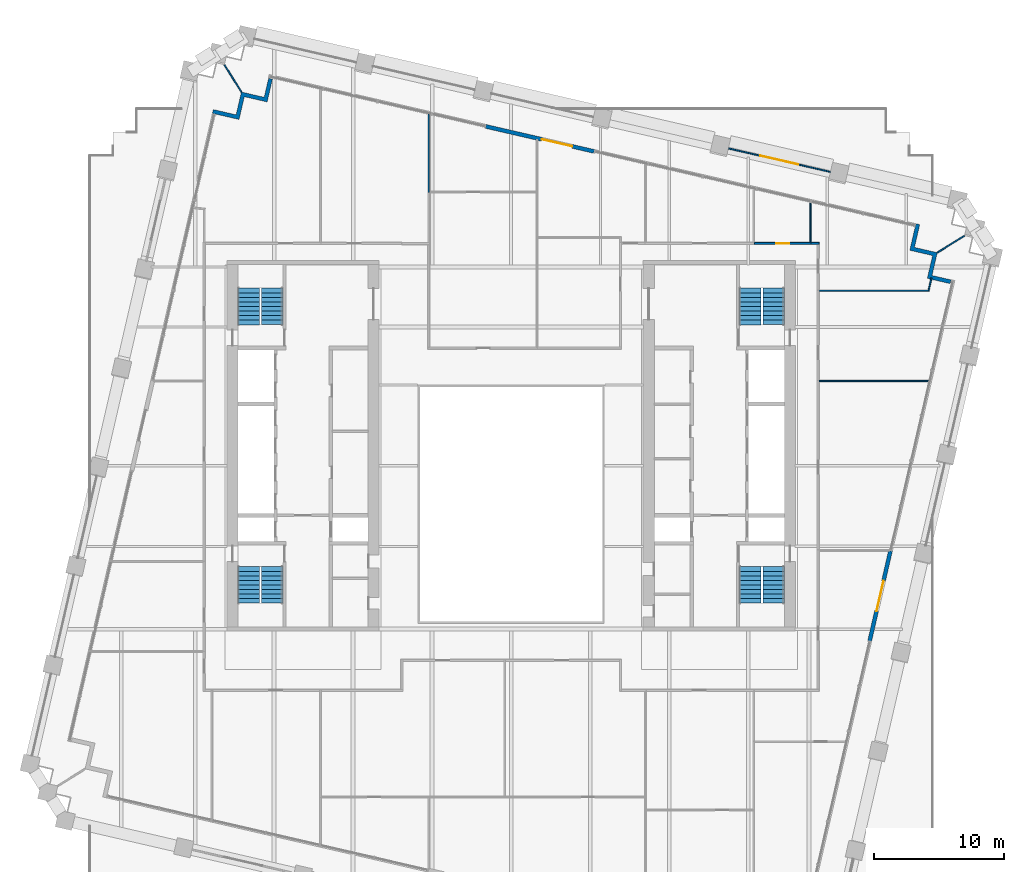
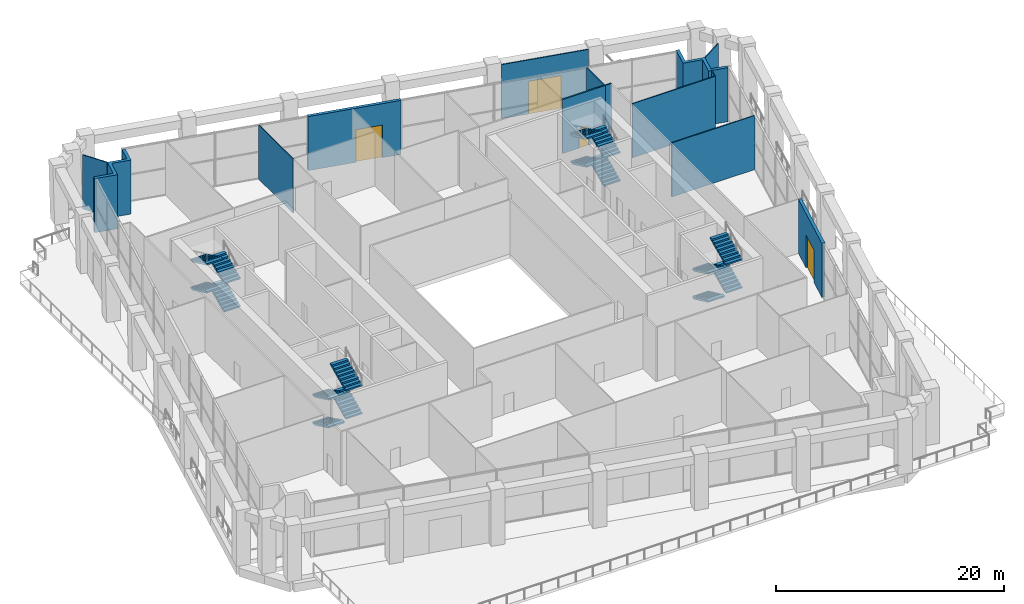
# One storey, part 19 of 23: 16 stair flights, 14 walls, 4 doors, 4 openings, 4 elements without a shape of their own.
"""IFC4 building model written with IfcOpenShell, lengths in metres."""

from ifc_helpers import new_model, si_unit, direction, frame, frame_2d, origin, place, context, subcontext, project, spatial, polyline, rectangle, outline, extrude, material, layer, layer_set, type_object, element, fill, aggregate, save


model = new_model("IFC4")

# Units and contexts
model_context = context("Model", 3, precision=1e-05, world=origin(), true_north=direction((0.0, 1.0)))
body_context = subcontext(model_context, "Body", "Model", "MODEL_VIEW")
ifc_project = project(units=[si_unit("LENGTHUNIT", "METRE"), si_unit("AREAUNIT", "SQUARE_METRE"), si_unit("VOLUMEUNIT", "CUBIC_METRE"), si_unit("PLANEANGLEUNIT", "RADIAN"), si_unit("MASSUNIT", "GRAM", prefix="KILO")], contexts=[model_context])

# Site, building, storey
site_placement = place(None, origin())
site = spatial("IfcSite", under=ifc_project, at=site_placement, CompositionType="ELEMENT")
building_placement = place(site_placement, origin())
building = spatial("IfcBuilding", under=site, at=building_placement, Name="Ogive Exchange Tower", CompositionType="ELEMENT")
storey_placement = place(building_placement, frame((0.0, 0.0, 99.60009765625)))
storey = spatial("IfcBuildingStorey", under=building, at=storey_placement, Name="L21", CompositionType="ELEMENT", Elevation=99.60009765625)

# Wall, opening, door
ifc_material_1 = material(Name="Fire partition EI 60 150")
ifc_layer_1 = layer(ifc_material_1, 0.14990234375)
ifc_layer_set_1 = layer_set([ifc_layer_1], Name="Fire partition EI 60 150")
wall_type_1 = type_object("IfcWallType", Name="Fire partition EI 60 150", PredefinedType="PARTITIONING", material=ifc_layer_set_1)
wall_1_placement = place(storey_placement, frame((18.699951171875, 27.050048828125, 0.0), z_axis=(0.0, 0.0, 1.0), x_axis=(1.0, 0.0, 0.0)))
wall_1 = element("IfcWall", 1, at=wall_1_placement, inside=storey, type_object=wall_type_1, Name="L21-PWL-054", PredefinedType="PARTITIONING", context=body_context, shape_type="SweptSolid", body=[
    extrude(rectangle(XDim=4.360107421875, YDim=0.14990234375, at=frame_2d((2.18017578125, 0.0))), origin(), (0.0, 0.0, 1.0), 5.7998046875),
])
opening_1_placement = place(wall_1_placement, frame((1.659912109375, 0.0, 0.0)))
opening_1 = element("IfcOpeningElement", 2, at=opening_1_placement, cuts=wall_1, Name="Opening L21-I16", PredefinedType="OPENING", context=body_context, shape_type="SweptSolid", body=[
    extrude(rectangle(XDim=1.0, YDim=2.10009765625, at=frame_2d((0.5, 1.050048828125))), frame((0.0, 0.0849609375, 0.0), z_axis=(0.0, -1.0, 0.0), x_axis=(1.0, 0.0, 0.0)), (0.0, 0.0, 1.0), 0.169921875),
])
ifc_material_2 = material(Name="Fire door FD 30S 1000 x 2100")
door_type_1 = type_object("IfcDoorType", Name="Fire door FD 30S 1000 x 2100", OperationType="NOTDEFINED", PredefinedType="DOOR", material=ifc_material_2)
door_1_placement = place(opening_1_placement, origin())
door_1 = element("IfcDoor", 3, at=door_1_placement, inside=storey, type_object=door_type_1, Name="L21-IDR-016", ObjectType="DT3", OperationType="SINGLE_SWING_RIGHT", OverallHeight=2.10009765625, OverallWidth=1.0, PredefinedType="DOOR", context=body_context, shape_type="SweptSolid", body=[
    extrude(rectangle(XDim=1.0, YDim=2.10009765625, at=frame_2d((0.5, 1.050048828125))), frame((0.0, 0.02490234375, 0.0), z_axis=(0.0, -1.0, 0.0), x_axis=(1.0, 0.0, 0.0)), (0.0, 0.0, 1.0), 0.050048828125),
])
fill(opening_1, door_1)

# Wall
wall_2_placement = place(storey_placement, frame((23.06005859375, 27.050048828125, 0.0), z_axis=(0.0, 0.0, 1.0), x_axis=(1.0, 0.0, 0.0)))
element("IfcWall", 4, at=wall_2_placement, inside=storey, type_object=wall_type_1, Name="L21-PWL-056", PredefinedType="PARTITIONING", context=body_context, shape_type="SweptSolid", body=[
    extrude(rectangle(XDim=0.614990234375, YDim=0.14990234375, at=frame_2d((0.3076171875, 0.0))), origin(), (0.0, 0.0, 1.0), 5.7998046875),
])

# Wall, opening, door
ifc_material_3 = material(Name="Precast concrete C40/50", Category="concrete")
ifc_layer_2 = layer(ifc_material_3, 0.300048828125)
ifc_layer_set_2 = layer_set([ifc_layer_2], Name="Limestone-faced wall 300")
wall_type_2 = type_object("IfcWallType", Name="Limestone-faced wall 300", PredefinedType="STANDARD", material=ifc_layer_set_2)
wall_3_placement = place(storey_placement, frame((27.553955078125, -3.511962890625, 0.0), z_axis=(0.0, 0.0, 1.0), x_axis=(0.224949733175, 0.9743703698, 0.0)))
wall_3 = element("IfcWall", 5, at=wall_3_placement, inside=storey, type_object=wall_type_2, Name="External wall E2", PredefinedType="STANDARD", context=body_context, shape_type="SweptSolid", body=[
    extrude(rectangle(XDim=7.1142578125, YDim=0.300048828125, at=frame_2d((3.55712890625, 0.0))), origin(), (0.0, 0.0, 1.0), 5.7998046875),
])
opening_2_placement = place(wall_3_placement, frame((2.357177734375, 0.0, 0.0)))
opening_2 = element("IfcOpeningElement", 6, at=opening_2_placement, cuts=wall_3, Name="Opening D1", PredefinedType="OPENING", context=body_context, shape_type="SweptSolid", body=[
    extrude(rectangle(XDim=2.39990234375, YDim=3.5, at=frame_2d((1.199951171875, 1.75))), frame((0.0, 0.159912109375, 0.0), z_axis=(0.0, -1.0, 0.0), x_axis=(1.0, 0.0, 0.0)), (0.0, 0.0, 1.0), 0.320068359375),
])
ifc_material_4 = material(Name="Clear glass in bronze frame", Category="glass")
door_type_2 = type_object("IfcDoorType", Name="Sliding loggia door 2400 x 3500", OperationType="DOUBLE_DOOR_SLIDING", PredefinedType="DOOR", material=ifc_material_4)
door_2_placement = place(opening_2_placement, origin())
door_2 = element("IfcDoor", 7, at=door_2_placement, inside=storey, type_object=door_type_2, Name="Loggia door E03", OperationType="DOUBLE_DOOR_SLIDING", OverallHeight=3.5, OverallWidth=2.39990234375, PredefinedType="DOOR", context=body_context, shape_type="SweptSolid", body=[
    extrude(rectangle(XDim=2.39990234375, YDim=3.5, at=frame_2d((1.199951171875, 1.75))), frame((0.0, 0.02490234375, 0.0), z_axis=(0.0, -1.0, 0.0), x_axis=(1.0, 0.0, 0.0)), (0.0, 0.0, 1.0), 0.050048828125),
])
fill(opening_2, door_2)

wall_4_placement = place(storey_placement, frame((6.37744140625, 34.123291015625, 0.0), z_axis=(0.0, 0.0, 1.0), x_axis=(-0.974370979495, 0.224947092265, 0.0)))
wall_4 = element("IfcWall", 8, at=wall_4_placement, inside=storey, type_object=wall_type_2, Name="External wall N3", PredefinedType="STANDARD", context=body_context, shape_type="SweptSolid", body=[
    extrude(rectangle(XDim=8.55029296875, YDim=0.300048828125, at=frame_2d((4.275146484375, 0.0))), origin(), (0.0, 0.0, 1.0), 5.7998046875),
])
opening_3_placement = place(wall_4_placement, frame((1.72509765625, 0.0, 0.0)))
opening_3 = element("IfcOpeningElement", 9, at=opening_3_placement, cuts=wall_4, Name="Opening D1", PredefinedType="OPENING", context=body_context, shape_type="SweptSolid", body=[
    extrude(rectangle(XDim=2.39990234375, YDim=3.5, at=frame_2d((1.199951171875, 1.75))), frame((0.0, 0.159912109375, 0.0), z_axis=(0.0, -1.0, 0.0), x_axis=(1.0, 0.0, 0.0)), (0.0, 0.0, 1.0), 0.320068359375),
])
door_3_placement = place(opening_3_placement, origin())
door_3 = element("IfcDoor", 10, at=door_3_placement, inside=storey, type_object=door_type_2, Name="Loggia door N03", OperationType="DOUBLE_DOOR_SLIDING", OverallHeight=3.5, OverallWidth=2.39990234375, PredefinedType="DOOR", context=body_context, shape_type="SweptSolid", body=[
    extrude(rectangle(XDim=2.39990234375, YDim=3.5, at=frame_2d((1.199951171875, 1.75))), frame((0.0, 0.02490234375, 0.0), z_axis=(0.0, -1.0, 0.0), x_axis=(1.0, 0.0, 0.0)), (0.0, 0.0, 1.0), 0.050048828125),
])
fill(opening_3, door_3)

# Walls
wall_5_placement = place(storey_placement, origin())
element("IfcWall", 11, at=wall_5_placement, inside=storey, type_object=wall_type_2, Name="External corner wall C2", PredefinedType="STANDARD", context=body_context, shape_type="SweptSolid", body=[
    extrude(outline(polyline([(32.392822265625, 26.115966796875), (30.638916015625, 26.52099609375), (31.111328125, 28.56689453125), (31.40380859375, 28.49951171875), (30.998779296875, 26.74560546875), (32.752685546875, 26.3408203125), (32.34765625, 24.5869140625), (33.809326171875, 24.24951171875), (33.74169921875, 23.957275390625), (31.98779296875, 24.362060546875), (32.392822265625, 26.115966796875)])), origin(), (0.0, 0.0, 1.0), 5.7998046875),
])
wall_6_placement = place(storey_placement, origin())
element("IfcWall", 12, at=wall_6_placement, inside=storey, type_object=wall_type_2, Name="External corner wall C3", PredefinedType="STANDARD", context=body_context, shape_type="SweptSolid", body=[
    extrude(outline(polyline([(-22.966552734375, 37.04931640625), (-22.89892578125, 37.341552734375), (-21.145263671875, 36.936767578125), (-20.740234375, 38.690673828125), (-18.986328125, 38.28564453125), (-18.64892578125, 39.747314453125), (-18.356689453125, 39.6796875), (-18.76171875, 37.92578125), (-20.515380859375, 38.330810546875), (-20.92041015625, 36.576904296875), (-22.966552734375, 37.04931640625)])), origin(), (0.0, 0.0, 1.0), 5.7998046875),
])
ifc_material_5 = material(Name="Laminated safety glass in steel frame", Category="steel")
ifc_layer_3 = layer(ifc_material_5, 0.10009765625)
ifc_layer_set_3 = layer_set([ifc_layer_3], Name="Loggia end screen 100")
wall_type_3 = type_object("IfcWallType", Name="Loggia end screen 100", PredefinedType="STANDARD", material=ifc_layer_set_3)
for number, where, z_axis, x_axis, name in (
    (13, (32.752685546875, 26.3408203125, 0.0), (0.0, 0.0, 1.0), (0.848059759764, 0.529900598103, 0.0), "Loggia end screen C2"),
    (14, (-20.740234375, 38.690673828125, 0.0), (0.0, 0.0, 1.0), (-0.529972121605, 0.848015064914, 0.0), "Loggia end screen C3"),
):
    element("IfcWall", number, at=place(storey_placement, frame(where, z_axis=z_axis, x_axis=x_axis)), inside=storey, type_object=wall_type_3, Name=name, PredefinedType="STANDARD", context=body_context, shape_type="SweptSolid", body=[
        extrude(rectangle(XDim=2.454833984375, YDim=0.10009765625, at=frame_2d((1.2275390625, 0.0))), origin(), (0.0, 0.0, 1.0), 5.7998046875),
    ])

# Wall, opening, door
wall_7_placement = place(storey_placement, frame((24.518798828125, 32.55224609375, 0.0), z_axis=(0.0, 0.0, 1.0), x_axis=(-0.974372699143, 0.224939643383, 0.0)))
wall_7 = element("IfcWall", 15, at=wall_7_placement, inside=storey, type_object=wall_type_3, Name="Terrace screen N01", PredefinedType="STANDARD", context=body_context, shape_type="SweptSolid", body=[
    extrude(rectangle(XDim=8.010009765625, YDim=0.10009765625, at=frame_2d((4.0048828125, 0.0))), origin(), (0.0, 0.0, 1.0), 5.7998046875),
])
opening_4_placement = place(wall_7_placement, frame((2.5048828125, 0.0, 0.0)))
opening_4 = element("IfcOpeningElement", 16, at=opening_4_placement, cuts=wall_7, Name="Opening D4", PredefinedType="OPENING", context=body_context, shape_type="SweptSolid", body=[
    extrude(rectangle(XDim=3.0, YDim=3.5, at=frame_2d((1.5, 1.75))), frame((0.0, 0.06005859375, 0.0), z_axis=(0.0, -1.0, 0.0), x_axis=(1.0, 0.0, 0.0)), (0.0, 0.0, 1.0), 0.1201171875),
])
door_type_3 = type_object("IfcDoorType", Name="Terrace sliding door 3000 x 3500", OperationType="DOUBLE_DOOR_SLIDING", PredefinedType="DOOR", material=ifc_material_4)
door_4_placement = place(opening_4_placement, origin())
door_4 = element("IfcDoor", 17, at=door_4_placement, inside=storey, type_object=door_type_3, Name="Terrace door N01", OperationType="DOUBLE_DOOR_SLIDING", OverallHeight=3.5, OverallWidth=3.0, PredefinedType="DOOR", context=body_context, shape_type="SweptSolid", body=[
    extrude(rectangle(XDim=3.0, YDim=3.5, at=frame_2d((1.5, 1.75))), frame((0.0, 0.02490234375, 0.0), z_axis=(0.0, -1.0, 0.0), x_axis=(1.0, 0.0, 0.0)), (0.0, 0.0, 1.0), 0.050048828125),
])
fill(opening_4, door_4)

# Walls
ifc_material_6 = material(Name="Partition 100 gypsum")
ifc_layer_4 = layer(ifc_material_6, 0.10009765625)
ifc_layer_set_4 = layer_set([ifc_layer_4], Name="Partition 100 gypsum")
wall_type_4 = type_object("IfcWallType", Name="Partition 100 gypsum", PredefinedType="PARTITIONING", material=ifc_layer_set_4)
wall_8_placement = place(storey_placement, frame((-6.340087890625, 36.988037109375, 0.0), z_axis=(0.0, 0.0, 1.0), x_axis=(0.0, -1.0, 0.0)))
element("IfcWall", 18, at=wall_8_placement, inside=storey, type_object=wall_type_4, Name="L21-PWL-026", PredefinedType="PARTITIONING", context=body_context, shape_type="SweptSolid", body=[
    extrude(rectangle(XDim=6.0380859375, YDim=0.10009765625, at=frame_2d((3.01904296875, 0.0))), origin(), (0.0, 0.0, 1.0), 5.7998046875),
])
wall_9_placement = place(storey_placement, frame((23.010009765625, 30.2119140625, 0.0), z_axis=(0.0, 0.0, 1.0), x_axis=(0.0, -1.0, 0.0)))
element("IfcWall", 19, at=wall_9_placement, inside=storey, type_object=wall_type_4, Name="L21-PWL-057", PredefinedType="PARTITIONING", context=body_context, shape_type="SweptSolid", body=[
    extrude(rectangle(XDim=3.0869140625, YDim=0.10009765625, at=frame_2d((1.54345703125, 0.0))), origin(), (0.0, 0.0, 1.0), 5.7998046875),
])
wall_10_placement = place(storey_placement, frame((23.675048828125, 16.47998046875, 0.0), z_axis=(0.0, 0.0, 1.0), x_axis=(1.0, 0.0, 0.0)))
element("IfcWall", 20, at=wall_10_placement, inside=storey, type_object=wall_type_4, Name="L21-PWL-062", PredefinedType="PARTITIONING", context=body_context, shape_type="SweptSolid", body=[
    extrude(rectangle(XDim=8.4228515625, YDim=0.10009765625, at=frame_2d((4.21142578125, 0.0))), origin(), (0.0, 0.0, 1.0), 5.7998046875),
])
wall_11_placement = place(storey_placement, frame((23.675048828125, 23.409912109375, 0.0), z_axis=(0.0, 0.0, 1.0), x_axis=(1.0, 0.0, 0.0)))
element("IfcWall", 21, at=wall_11_placement, inside=storey, type_object=wall_type_4, Name="L21-PWL-064", PredefinedType="PARTITIONING", context=body_context, shape_type="SweptSolid", body=[
    extrude(rectangle(XDim=8.454833984375, YDim=0.10009765625, at=frame_2d((4.2275390625, 0.0))), origin(), (0.0, 0.0, 1.0), 5.7998046875),
])
wall_12_placement = place(storey_placement, frame((32.091064453125, 23.458984375, 0.0), z_axis=(0.0, 0.0, 1.0), x_axis=(0.223406444343, 0.97472537703, 0.0)))
element("IfcWall", 22, at=wall_12_placement, inside=storey, type_object=wall_type_4, Name="L21-PWL-066", PredefinedType="PARTITIONING", context=body_context, shape_type="SweptSolid", body=[
    extrude(rectangle(XDim=0.957275390625, YDim=0.10009765625, at=frame_2d((0.478515625, 0.0))), origin(), (0.0, 0.0, 1.0), 5.7998046875),
])

# Stair, stair flights
ifc_material_7 = material(Name="Concrete C40/50", Category="concrete")
stair_type = type_object("IfcStairType", Name="Exit stair 1650 wide", PredefinedType="HALF_TURN_STAIR", material=ifc_material_7)
stair_1_placement = place(storey_placement, origin())
stair_1 = element("IfcStair", 23, at=stair_1_placement, inside=storey, type_object=stair_type, Name="L21 exit stair ST1", PredefinedType="HALF_TURN_STAIR")
stair_flight_type = type_object("IfcStairFlightType", Name="Stair flight 1650 wide", PredefinedType="STRAIGHT", material=ifc_material_7)
stair_flight_1_placement = place(storey_placement, frame((-20.175048828125, 2.199951171875, 0.0), z_axis=(0.0, 0.0, 1.0), x_axis=(0.0, -1.0, 0.0)))
stair_flight_1 = element("IfcStairFlight", 24, at=stair_flight_1_placement, type_object=stair_flight_type, Name="ST1 flight 1", NumberOfRisers=9, NumberOfTreads=8, PredefinedType="STRAIGHT", RiserHeight=0.166666667, TreadLength=0.351, context=body_context, shape_type="SweptSolid", body=[
    extrude(outline(polyline([(0.0, 0.0), (0.0, 0.166748046875), (0.35107421875, 0.166748046875), (0.35107421875, 0.333251953125), (0.701904296875, 0.333251953125), (0.701904296875, 0.5), (1.052978515625, 0.5), (1.052978515625, 0.666748046875), (1.404052734375, 0.666748046875), (1.404052734375, 0.833251953125), (1.7548828125, 0.833251953125), (1.7548828125, 1.0), (2.10595703125, 1.0), (2.10595703125, 1.166748046875), (2.45703125, 1.166748046875), (2.45703125, 1.333251953125), (2.80810546875, 1.333251953125), (2.80810546875, 1.5), (2.80810546875, 1.16748046875), (0.349365234375, 0.0), (0.0, 0.0)])), frame((0.0, 0.824951171875, 0.0), z_axis=(0.0, -1.0, 0.0), x_axis=(1.0, 0.0, 0.0)), (0.0, 0.0, 1.0), 1.64990234375),
])
stair_flight_2_placement = place(storey_placement, frame((-18.375, -0.60791015625, 1.5), z_axis=(0.0, 0.0, 1.0), x_axis=(0.0, 1.0, 0.0)))
stair_flight_2 = element("IfcStairFlight", 25, at=stair_flight_2_placement, type_object=stair_flight_type, Name="ST1 flight 2", NumberOfRisers=9, NumberOfTreads=8, PredefinedType="STRAIGHT", RiserHeight=0.166666667, TreadLength=0.351, context=body_context, shape_type="SweptSolid", body=[
    extrude(outline(polyline([(0.0, 0.0), (0.0, 0.166748046875), (0.35107421875, 0.166748046875), (0.35107421875, 0.333251953125), (0.701904296875, 0.333251953125), (0.701904296875, 0.5), (1.052978515625, 0.5), (1.052978515625, 0.666748046875), (1.404052734375, 0.666748046875), (1.404052734375, 0.833251953125), (1.7548828125, 0.833251953125), (1.7548828125, 1.0), (2.10595703125, 1.0), (2.10595703125, 1.166748046875), (2.45703125, 1.166748046875), (2.45703125, 1.333251953125), (2.80810546875, 1.333251953125), (2.80810546875, 1.5), (2.80810546875, 1.16748046875), (0.349365234375, 0.0), (0.0, 0.0)])), frame((0.0, 0.824951171875, 0.0), z_axis=(0.0, -1.0, 0.0), x_axis=(1.0, 0.0, 0.0)), (0.0, 0.0, 1.0), 1.64990234375),
])
stair_flight_3_placement = place(storey_placement, frame((-20.175048828125, 2.199951171875, 3.0), z_axis=(0.0, 0.0, 1.0), x_axis=(0.0, -1.0, 0.0)))
stair_flight_3 = element("IfcStairFlight", 26, at=stair_flight_3_placement, type_object=stair_flight_type, Name="ST1 flight 3", NumberOfRisers=9, NumberOfTreads=8, PredefinedType="STRAIGHT", RiserHeight=0.166666667, TreadLength=0.351, context=body_context, shape_type="SweptSolid", body=[
    extrude(outline(polyline([(0.0, 0.0), (0.0, 0.166748046875), (0.35107421875, 0.166748046875), (0.35107421875, 0.333251953125), (0.701904296875, 0.333251953125), (0.701904296875, 0.5), (1.052978515625, 0.5), (1.052978515625, 0.666748046875), (1.404052734375, 0.666748046875), (1.404052734375, 0.833251953125), (1.7548828125, 0.833251953125), (1.7548828125, 1.0), (2.10595703125, 1.0), (2.10595703125, 1.166748046875), (2.45703125, 1.166748046875), (2.45703125, 1.333251953125), (2.80810546875, 1.333251953125), (2.80810546875, 1.5), (2.80810546875, 1.16748046875), (0.349365234375, 0.0), (0.0, 0.0)])), frame((0.0, 0.824951171875, 0.0), z_axis=(0.0, -1.0, 0.0), x_axis=(1.0, 0.0, 0.0)), (0.0, 0.0, 1.0), 1.64990234375),
])
stair_flight_4_placement = place(storey_placement, frame((-18.375, -0.60791015625, 4.5), z_axis=(0.0, 0.0, 1.0), x_axis=(0.0, 1.0, 0.0)))
stair_flight_4 = element("IfcStairFlight", 27, at=stair_flight_4_placement, type_object=stair_flight_type, Name="ST1 flight 4", NumberOfRisers=9, NumberOfTreads=8, PredefinedType="STRAIGHT", RiserHeight=0.166666667, TreadLength=0.351, context=body_context, shape_type="SweptSolid", body=[
    extrude(outline(polyline([(0.0, 0.0), (0.0, 0.166748046875), (0.35107421875, 0.166748046875), (0.35107421875, 0.333251953125), (0.701904296875, 0.333251953125), (0.701904296875, 0.5), (1.052978515625, 0.5), (1.052978515625, 0.666748046875), (1.404052734375, 0.666748046875), (1.404052734375, 0.833251953125), (1.7548828125, 0.833251953125), (1.7548828125, 1.0), (2.10595703125, 1.0), (2.10595703125, 1.166748046875), (2.45703125, 1.166748046875), (2.45703125, 1.333251953125), (2.80810546875, 1.333251953125), (2.80810546875, 1.5), (2.80810546875, 1.16748046875), (0.349365234375, 0.0), (0.0, 0.0)])), frame((0.0, 0.824951171875, 0.0), z_axis=(0.0, -1.0, 0.0), x_axis=(1.0, 0.0, 0.0)), (0.0, 0.0, 1.0), 1.64990234375),
])
aggregate(stair_1, [stair_flight_1, stair_flight_2, stair_flight_3, stair_flight_4])

stair_2_placement = place(storey_placement, origin())
stair_2 = element("IfcStair", 28, at=stair_2_placement, inside=storey, type_object=stair_type, Name="L21 exit stair ST2", PredefinedType="HALF_TURN_STAIR")
stair_flight_5_placement = place(storey_placement, frame((-18.375, 20.800048828125, 0.0), z_axis=(0.0, 0.0, 1.0), x_axis=(0.0, 1.0, 0.0)))
stair_flight_5 = element("IfcStairFlight", 29, at=stair_flight_5_placement, type_object=stair_flight_type, Name="ST2 flight 1", NumberOfRisers=9, NumberOfTreads=8, PredefinedType="STRAIGHT", RiserHeight=0.166666667, TreadLength=0.351, context=body_context, shape_type="SweptSolid", body=[
    extrude(outline(polyline([(0.0, 0.0), (0.0, 0.166748046875), (0.35107421875, 0.166748046875), (0.35107421875, 0.333251953125), (0.701904296875, 0.333251953125), (0.701904296875, 0.5), (1.052978515625, 0.5), (1.052978515625, 0.666748046875), (1.404052734375, 0.666748046875), (1.404052734375, 0.833251953125), (1.7548828125, 0.833251953125), (1.7548828125, 1.0), (2.10595703125, 1.0), (2.10595703125, 1.166748046875), (2.45703125, 1.166748046875), (2.45703125, 1.333251953125), (2.80810546875, 1.333251953125), (2.80810546875, 1.5), (2.80810546875, 1.16748046875), (0.349365234375, 0.0), (0.0, 0.0)])), frame((0.0, 0.824951171875, 0.0), z_axis=(0.0, -1.0, 0.0), x_axis=(1.0, 0.0, 0.0)), (0.0, 0.0, 1.0), 1.64990234375),
])
stair_flight_6_placement = place(storey_placement, frame((-20.175048828125, 23.60791015625, 1.5), z_axis=(0.0, 0.0, 1.0), x_axis=(0.0, -1.0, 0.0)))
stair_flight_6 = element("IfcStairFlight", 30, at=stair_flight_6_placement, type_object=stair_flight_type, Name="ST2 flight 2", NumberOfRisers=9, NumberOfTreads=8, PredefinedType="STRAIGHT", RiserHeight=0.166666667, TreadLength=0.351, context=body_context, shape_type="SweptSolid", body=[
    extrude(outline(polyline([(0.0, 0.0), (0.0, 0.166748046875), (0.35107421875, 0.166748046875), (0.35107421875, 0.333251953125), (0.701904296875, 0.333251953125), (0.701904296875, 0.5), (1.052978515625, 0.5), (1.052978515625, 0.666748046875), (1.404052734375, 0.666748046875), (1.404052734375, 0.833251953125), (1.7548828125, 0.833251953125), (1.7548828125, 1.0), (2.10595703125, 1.0), (2.10595703125, 1.166748046875), (2.45703125, 1.166748046875), (2.45703125, 1.333251953125), (2.80810546875, 1.333251953125), (2.80810546875, 1.5), (2.80810546875, 1.16748046875), (0.349365234375, 0.0), (0.0, 0.0)])), frame((0.0, 0.824951171875, 0.0), z_axis=(0.0, -1.0, 0.0), x_axis=(1.0, 0.0, 0.0)), (0.0, 0.0, 1.0), 1.64990234375),
])
stair_flight_7_placement = place(storey_placement, frame((-18.375, 20.800048828125, 3.0), z_axis=(0.0, 0.0, 1.0), x_axis=(0.0, 1.0, 0.0)))
stair_flight_7 = element("IfcStairFlight", 31, at=stair_flight_7_placement, type_object=stair_flight_type, Name="ST2 flight 3", NumberOfRisers=9, NumberOfTreads=8, PredefinedType="STRAIGHT", RiserHeight=0.166666667, TreadLength=0.351, context=body_context, shape_type="SweptSolid", body=[
    extrude(outline(polyline([(0.0, 0.0), (0.0, 0.166748046875), (0.35107421875, 0.166748046875), (0.35107421875, 0.333251953125), (0.701904296875, 0.333251953125), (0.701904296875, 0.5), (1.052978515625, 0.5), (1.052978515625, 0.666748046875), (1.404052734375, 0.666748046875), (1.404052734375, 0.833251953125), (1.7548828125, 0.833251953125), (1.7548828125, 1.0), (2.10595703125, 1.0), (2.10595703125, 1.166748046875), (2.45703125, 1.166748046875), (2.45703125, 1.333251953125), (2.80810546875, 1.333251953125), (2.80810546875, 1.5), (2.80810546875, 1.16748046875), (0.349365234375, 0.0), (0.0, 0.0)])), frame((0.0, 0.824951171875, 0.0), z_axis=(0.0, -1.0, 0.0), x_axis=(1.0, 0.0, 0.0)), (0.0, 0.0, 1.0), 1.64990234375),
])
stair_flight_8_placement = place(storey_placement, frame((-20.175048828125, 23.60791015625, 4.5), z_axis=(0.0, 0.0, 1.0), x_axis=(0.0, -1.0, 0.0)))
stair_flight_8 = element("IfcStairFlight", 32, at=stair_flight_8_placement, type_object=stair_flight_type, Name="ST2 flight 4", NumberOfRisers=9, NumberOfTreads=8, PredefinedType="STRAIGHT", RiserHeight=0.166666667, TreadLength=0.351, context=body_context, shape_type="SweptSolid", body=[
    extrude(outline(polyline([(0.0, 0.0), (0.0, 0.166748046875), (0.35107421875, 0.166748046875), (0.35107421875, 0.333251953125), (0.701904296875, 0.333251953125), (0.701904296875, 0.5), (1.052978515625, 0.5), (1.052978515625, 0.666748046875), (1.404052734375, 0.666748046875), (1.404052734375, 0.833251953125), (1.7548828125, 0.833251953125), (1.7548828125, 1.0), (2.10595703125, 1.0), (2.10595703125, 1.166748046875), (2.45703125, 1.166748046875), (2.45703125, 1.333251953125), (2.80810546875, 1.333251953125), (2.80810546875, 1.5), (2.80810546875, 1.16748046875), (0.349365234375, 0.0), (0.0, 0.0)])), frame((0.0, 0.824951171875, 0.0), z_axis=(0.0, -1.0, 0.0), x_axis=(1.0, 0.0, 0.0)), (0.0, 0.0, 1.0), 1.64990234375),
])
aggregate(stair_2, [stair_flight_5, stair_flight_6, stair_flight_7, stair_flight_8])

stair_3_placement = place(storey_placement, origin())
stair_3 = element("IfcStair", 33, at=stair_3_placement, inside=storey, type_object=stair_type, Name="L21 exit stair ST3", PredefinedType="HALF_TURN_STAIR")
stair_flight_9_placement = place(storey_placement, frame((18.375, 2.199951171875, 0.0), z_axis=(0.0, 0.0, 1.0), x_axis=(0.0, -1.0, 0.0)))
stair_flight_9 = element("IfcStairFlight", 34, at=stair_flight_9_placement, type_object=stair_flight_type, Name="ST3 flight 1", NumberOfRisers=9, NumberOfTreads=8, PredefinedType="STRAIGHT", RiserHeight=0.166666667, TreadLength=0.351, context=body_context, shape_type="SweptSolid", body=[
    extrude(outline(polyline([(0.0, 0.0), (0.0, 0.166748046875), (0.35107421875, 0.166748046875), (0.35107421875, 0.333251953125), (0.701904296875, 0.333251953125), (0.701904296875, 0.5), (1.052978515625, 0.5), (1.052978515625, 0.666748046875), (1.404052734375, 0.666748046875), (1.404052734375, 0.833251953125), (1.7548828125, 0.833251953125), (1.7548828125, 1.0), (2.10595703125, 1.0), (2.10595703125, 1.166748046875), (2.45703125, 1.166748046875), (2.45703125, 1.333251953125), (2.80810546875, 1.333251953125), (2.80810546875, 1.5), (2.80810546875, 1.16748046875), (0.349365234375, 0.0), (0.0, 0.0)])), frame((0.0, 0.824951171875, 0.0), z_axis=(0.0, -1.0, 0.0), x_axis=(1.0, 0.0, 0.0)), (0.0, 0.0, 1.0), 1.64990234375),
])
stair_flight_10_placement = place(storey_placement, frame((20.175048828125, -0.60791015625, 1.5), z_axis=(0.0, 0.0, 1.0), x_axis=(0.0, 1.0, 0.0)))
stair_flight_10 = element("IfcStairFlight", 35, at=stair_flight_10_placement, type_object=stair_flight_type, Name="ST3 flight 2", NumberOfRisers=9, NumberOfTreads=8, PredefinedType="STRAIGHT", RiserHeight=0.166666667, TreadLength=0.351, context=body_context, shape_type="SweptSolid", body=[
    extrude(outline(polyline([(0.0, 0.0), (0.0, 0.166748046875), (0.35107421875, 0.166748046875), (0.35107421875, 0.333251953125), (0.701904296875, 0.333251953125), (0.701904296875, 0.5), (1.052978515625, 0.5), (1.052978515625, 0.666748046875), (1.404052734375, 0.666748046875), (1.404052734375, 0.833251953125), (1.7548828125, 0.833251953125), (1.7548828125, 1.0), (2.10595703125, 1.0), (2.10595703125, 1.166748046875), (2.45703125, 1.166748046875), (2.45703125, 1.333251953125), (2.80810546875, 1.333251953125), (2.80810546875, 1.5), (2.80810546875, 1.16748046875), (0.349365234375, 0.0), (0.0, 0.0)])), frame((0.0, 0.824951171875, 0.0), z_axis=(0.0, -1.0, 0.0), x_axis=(1.0, 0.0, 0.0)), (0.0, 0.0, 1.0), 1.64990234375),
])
stair_flight_11_placement = place(storey_placement, frame((18.375, 2.199951171875, 3.0), z_axis=(0.0, 0.0, 1.0), x_axis=(0.0, -1.0, 0.0)))
stair_flight_11 = element("IfcStairFlight", 36, at=stair_flight_11_placement, type_object=stair_flight_type, Name="ST3 flight 3", NumberOfRisers=9, NumberOfTreads=8, PredefinedType="STRAIGHT", RiserHeight=0.166666667, TreadLength=0.351, context=body_context, shape_type="SweptSolid", body=[
    extrude(outline(polyline([(0.0, 0.0), (0.0, 0.166748046875), (0.35107421875, 0.166748046875), (0.35107421875, 0.333251953125), (0.701904296875, 0.333251953125), (0.701904296875, 0.5), (1.052978515625, 0.5), (1.052978515625, 0.666748046875), (1.404052734375, 0.666748046875), (1.404052734375, 0.833251953125), (1.7548828125, 0.833251953125), (1.7548828125, 1.0), (2.10595703125, 1.0), (2.10595703125, 1.166748046875), (2.45703125, 1.166748046875), (2.45703125, 1.333251953125), (2.80810546875, 1.333251953125), (2.80810546875, 1.5), (2.80810546875, 1.16748046875), (0.349365234375, 0.0), (0.0, 0.0)])), frame((0.0, 0.824951171875, 0.0), z_axis=(0.0, -1.0, 0.0), x_axis=(1.0, 0.0, 0.0)), (0.0, 0.0, 1.0), 1.64990234375),
])
stair_flight_12_placement = place(storey_placement, frame((20.175048828125, -0.60791015625, 4.5), z_axis=(0.0, 0.0, 1.0), x_axis=(0.0, 1.0, 0.0)))
stair_flight_12 = element("IfcStairFlight", 37, at=stair_flight_12_placement, type_object=stair_flight_type, Name="ST3 flight 4", NumberOfRisers=9, NumberOfTreads=8, PredefinedType="STRAIGHT", RiserHeight=0.166666667, TreadLength=0.351, context=body_context, shape_type="SweptSolid", body=[
    extrude(outline(polyline([(0.0, 0.0), (0.0, 0.166748046875), (0.35107421875, 0.166748046875), (0.35107421875, 0.333251953125), (0.701904296875, 0.333251953125), (0.701904296875, 0.5), (1.052978515625, 0.5), (1.052978515625, 0.666748046875), (1.404052734375, 0.666748046875), (1.404052734375, 0.833251953125), (1.7548828125, 0.833251953125), (1.7548828125, 1.0), (2.10595703125, 1.0), (2.10595703125, 1.166748046875), (2.45703125, 1.166748046875), (2.45703125, 1.333251953125), (2.80810546875, 1.333251953125), (2.80810546875, 1.5), (2.80810546875, 1.16748046875), (0.349365234375, 0.0), (0.0, 0.0)])), frame((0.0, 0.824951171875, 0.0), z_axis=(0.0, -1.0, 0.0), x_axis=(1.0, 0.0, 0.0)), (0.0, 0.0, 1.0), 1.64990234375),
])
aggregate(stair_3, [stair_flight_9, stair_flight_10, stair_flight_11, stair_flight_12])

stair_4_placement = place(storey_placement, origin())
stair_4 = element("IfcStair", 38, at=stair_4_placement, inside=storey, type_object=stair_type, Name="L21 exit stair ST4", PredefinedType="HALF_TURN_STAIR")
stair_flight_13_placement = place(storey_placement, frame((20.175048828125, 20.800048828125, 0.0), z_axis=(0.0, 0.0, 1.0), x_axis=(0.0, 1.0, 0.0)))
stair_flight_13 = element("IfcStairFlight", 39, at=stair_flight_13_placement, type_object=stair_flight_type, Name="ST4 flight 1", NumberOfRisers=9, NumberOfTreads=8, PredefinedType="STRAIGHT", RiserHeight=0.166666667, TreadLength=0.351, context=body_context, shape_type="SweptSolid", body=[
    extrude(outline(polyline([(0.0, 0.0), (0.0, 0.166748046875), (0.35107421875, 0.166748046875), (0.35107421875, 0.333251953125), (0.701904296875, 0.333251953125), (0.701904296875, 0.5), (1.052978515625, 0.5), (1.052978515625, 0.666748046875), (1.404052734375, 0.666748046875), (1.404052734375, 0.833251953125), (1.7548828125, 0.833251953125), (1.7548828125, 1.0), (2.10595703125, 1.0), (2.10595703125, 1.166748046875), (2.45703125, 1.166748046875), (2.45703125, 1.333251953125), (2.80810546875, 1.333251953125), (2.80810546875, 1.5), (2.80810546875, 1.16748046875), (0.349365234375, 0.0), (0.0, 0.0)])), frame((0.0, 0.824951171875, 0.0), z_axis=(0.0, -1.0, 0.0), x_axis=(1.0, 0.0, 0.0)), (0.0, 0.0, 1.0), 1.64990234375),
])
stair_flight_14_placement = place(storey_placement, frame((18.375, 23.60791015625, 1.5), z_axis=(0.0, 0.0, 1.0), x_axis=(0.0, -1.0, 0.0)))
stair_flight_14 = element("IfcStairFlight", 40, at=stair_flight_14_placement, type_object=stair_flight_type, Name="ST4 flight 2", NumberOfRisers=9, NumberOfTreads=8, PredefinedType="STRAIGHT", RiserHeight=0.166666667, TreadLength=0.351, context=body_context, shape_type="SweptSolid", body=[
    extrude(outline(polyline([(0.0, 0.0), (0.0, 0.166748046875), (0.35107421875, 0.166748046875), (0.35107421875, 0.333251953125), (0.701904296875, 0.333251953125), (0.701904296875, 0.5), (1.052978515625, 0.5), (1.052978515625, 0.666748046875), (1.404052734375, 0.666748046875), (1.404052734375, 0.833251953125), (1.7548828125, 0.833251953125), (1.7548828125, 1.0), (2.10595703125, 1.0), (2.10595703125, 1.166748046875), (2.45703125, 1.166748046875), (2.45703125, 1.333251953125), (2.80810546875, 1.333251953125), (2.80810546875, 1.5), (2.80810546875, 1.16748046875), (0.349365234375, 0.0), (0.0, 0.0)])), frame((0.0, 0.824951171875, 0.0), z_axis=(0.0, -1.0, 0.0), x_axis=(1.0, 0.0, 0.0)), (0.0, 0.0, 1.0), 1.64990234375),
])
stair_flight_15_placement = place(storey_placement, frame((20.175048828125, 20.800048828125, 3.0), z_axis=(0.0, 0.0, 1.0), x_axis=(0.0, 1.0, 0.0)))
stair_flight_15 = element("IfcStairFlight", 41, at=stair_flight_15_placement, type_object=stair_flight_type, Name="ST4 flight 3", NumberOfRisers=9, NumberOfTreads=8, PredefinedType="STRAIGHT", RiserHeight=0.166666667, TreadLength=0.351, context=body_context, shape_type="SweptSolid", body=[
    extrude(outline(polyline([(0.0, 0.0), (0.0, 0.166748046875), (0.35107421875, 0.166748046875), (0.35107421875, 0.333251953125), (0.701904296875, 0.333251953125), (0.701904296875, 0.5), (1.052978515625, 0.5), (1.052978515625, 0.666748046875), (1.404052734375, 0.666748046875), (1.404052734375, 0.833251953125), (1.7548828125, 0.833251953125), (1.7548828125, 1.0), (2.10595703125, 1.0), (2.10595703125, 1.166748046875), (2.45703125, 1.166748046875), (2.45703125, 1.333251953125), (2.80810546875, 1.333251953125), (2.80810546875, 1.5), (2.80810546875, 1.16748046875), (0.349365234375, 0.0), (0.0, 0.0)])), frame((0.0, 0.824951171875, 0.0), z_axis=(0.0, -1.0, 0.0), x_axis=(1.0, 0.0, 0.0)), (0.0, 0.0, 1.0), 1.64990234375),
])
stair_flight_16_placement = place(storey_placement, frame((18.375, 23.60791015625, 4.5), z_axis=(0.0, 0.0, 1.0), x_axis=(0.0, -1.0, 0.0)))
stair_flight_16 = element("IfcStairFlight", 42, at=stair_flight_16_placement, type_object=stair_flight_type, Name="ST4 flight 4", NumberOfRisers=9, NumberOfTreads=8, PredefinedType="STRAIGHT", RiserHeight=0.166666667, TreadLength=0.351, context=body_context, shape_type="SweptSolid", body=[
    extrude(outline(polyline([(0.0, 0.0), (0.0, 0.166748046875), (0.35107421875, 0.166748046875), (0.35107421875, 0.333251953125), (0.701904296875, 0.333251953125), (0.701904296875, 0.5), (1.052978515625, 0.5), (1.052978515625, 0.666748046875), (1.404052734375, 0.666748046875), (1.404052734375, 0.833251953125), (1.7548828125, 0.833251953125), (1.7548828125, 1.0), (2.10595703125, 1.0), (2.10595703125, 1.166748046875), (2.45703125, 1.166748046875), (2.45703125, 1.333251953125), (2.80810546875, 1.333251953125), (2.80810546875, 1.5), (2.80810546875, 1.16748046875), (0.349365234375, 0.0), (0.0, 0.0)])), frame((0.0, 0.824951171875, 0.0), z_axis=(0.0, -1.0, 0.0), x_axis=(1.0, 0.0, 0.0)), (0.0, 0.0, 1.0), 1.64990234375),
])
aggregate(stair_4, [stair_flight_13, stair_flight_14, stair_flight_15, stair_flight_16])

save(model, "model.ifc")
